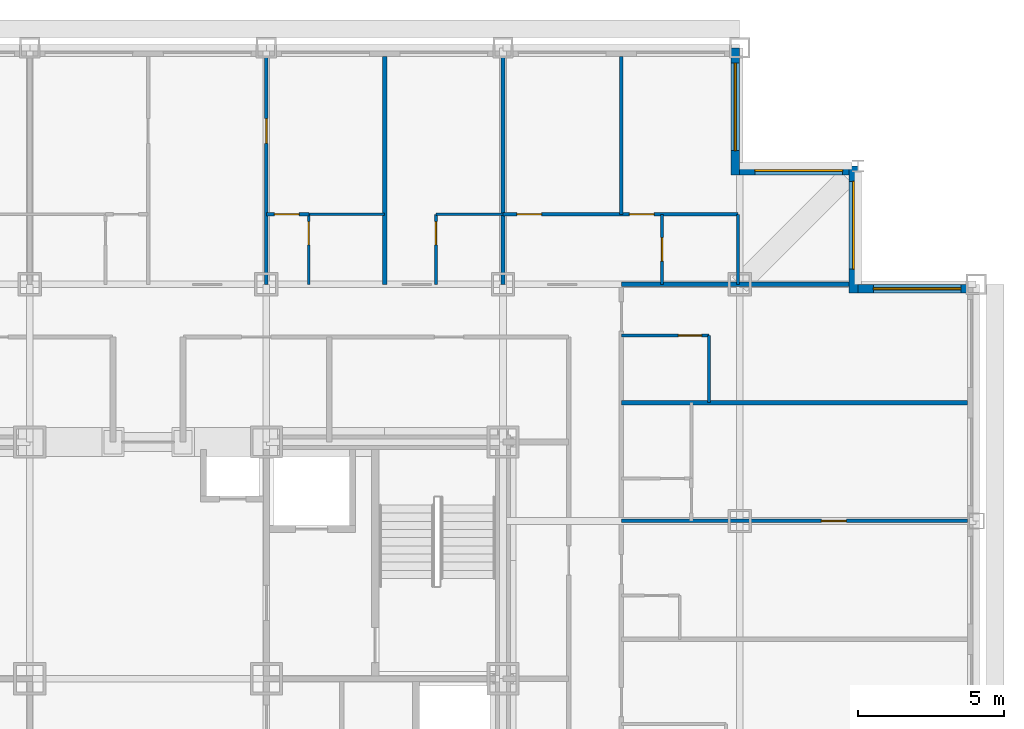
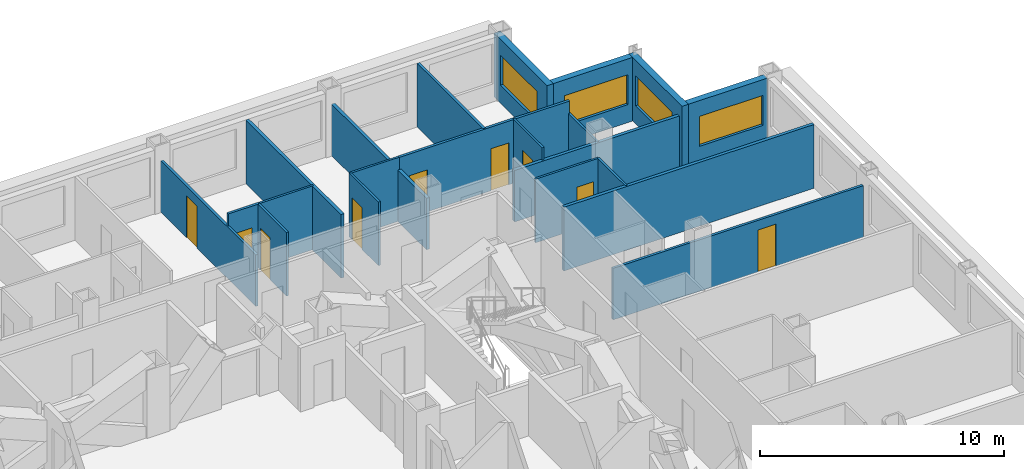
# One storey, part 12 of 15: 21 walls, 9 doors, 4 windows, 13 openings.
"""IFC4 building model written with IfcOpenShell, lengths in metres."""

from ifc_helpers import new_model, si_unit, direction, frame, frame_2d, origin, place, context, subcontext, project, spatial, rectangle, extrude, material, layer, layer_set, type_object, element, fill, save


model = new_model("IFC4")

# Units and contexts
model_context = context("Model", 3, precision=1e-05, world=origin(), true_north=direction((0.0, 1.0)))
body_context = subcontext(model_context, "Body", "Model", "MODEL_VIEW")
ifc_project = project(units=[si_unit("LENGTHUNIT", "METRE"), si_unit("AREAUNIT", "SQUARE_METRE"), si_unit("VOLUMEUNIT", "CUBIC_METRE"), si_unit("PLANEANGLEUNIT", "RADIAN"), si_unit("MASSUNIT", "GRAM", prefix="KILO")], contexts=[model_context])

# Site, building, storey
site_placement = place(None, origin())
site = spatial("IfcSite", under=ifc_project, at=site_placement, CompositionType="ELEMENT")
building_placement = place(site_placement, origin())
building = spatial("IfcBuilding", under=site, at=building_placement, Name="Kopane Lantern Tower", CompositionType="ELEMENT")
storey_placement = place(building_placement, frame((0.0, 0.0, 140.800048828125)))
storey = spatial("IfcBuildingStorey", under=building, at=storey_placement, Name="L36", CompositionType="ELEMENT", Elevation=140.800048828125)

# Wall, opening, door
ifc_material_1 = material(Name="Gypsum board on steel studs", Category="steel")
ifc_layer_1 = layer(ifc_material_1, 0.1201171875)
ifc_layer_set_1 = layer_set([ifc_layer_1], Name="APARTMENT INTERNAL WALL 120")
wall_type_1 = type_object("IfcWallType", Name="APARTMENT INTERNAL WALL 120", PredefinedType="PARTITIONING", material=ifc_layer_set_1)
wall_1_placement = place(storey_placement, frame((32.39990234375, 45.89990234375, 0.0), z_axis=(0.0, 0.0, 1.0), x_axis=(0.0, 1.0, 0.0)))
wall_1 = element("IfcWall", 1, at=wall_1_placement, inside=storey, type_object=wall_type_1, Name="Apartment Internal Wall 120 L36", PredefinedType="PARTITIONING", context=body_context, shape_type="SweptSolid", body=[
    extrude(rectangle(XDim=7.800048828125, YDim=0.1201171875, at=frame_2d((3.89990234375, 0.0))), origin(), (0.0, 0.0, 1.0), 2.57763671875),
])
opening_1_placement = place(wall_1_placement, frame((4.824951171875, 0.0, 0.0)))
opening_1 = element("IfcOpeningElement", 2, at=opening_1_placement, cuts=wall_1, Name="Opening L36-040", PredefinedType="OPENING", context=body_context, shape_type="SweptSolid", body=[
    extrude(rectangle(XDim=0.85009765625, YDim=2.10009765625, at=frame_2d((0.425048828125, 1.050048828125))), frame((0.0, 0.070068359375, 0.0), z_axis=(0.0, -1.0, 0.0), x_axis=(1.0, 0.0, 0.0)), (0.0, 0.0, 1.0), 0.14013671875),
])
ifc_material_2 = material(Name="Timber door set", Category="wood")
door_type_1 = type_object("IfcDoorType", Name="DOOR D4 850x2100", OperationType="SINGLE_SWING_LEFT", PredefinedType="DOOR", material=ifc_material_2)
door_1_placement = place(opening_1_placement, origin())
door_1 = element("IfcDoor", 3, at=door_1_placement, inside=storey, type_object=door_type_1, Name="Door L36-040", OperationType="SINGLE_SWING_RIGHT", OverallHeight=2.10009765625, OverallWidth=0.85009765625, PredefinedType="DOOR", context=body_context, shape_type="SweptSolid", body=[
    extrude(rectangle(XDim=0.85009765625, YDim=2.10009765625, at=frame_2d((0.425048828125, 1.050048828125))), frame((0.0, 0.02490234375, 0.0), z_axis=(0.0, -1.0, 0.0), x_axis=(1.0, 0.0, 0.0)), (0.0, 0.0, 1.0), 0.050048828125),
])
fill(opening_1, door_1)

wall_2_placement = place(storey_placement, frame((44.550048828125, 37.800048828125, 0.0), z_axis=(0.0, 0.0, 1.0), x_axis=(1.0, 0.0, 0.0)))
wall_2 = element("IfcWall", 4, at=wall_2_placement, inside=storey, type_object=wall_type_1, Name="Apartment Internal Wall 120 L36", PredefinedType="PARTITIONING", context=body_context, shape_type="SweptSolid", body=[
    extrude(rectangle(XDim=11.849853515625, YDim=0.1201171875, at=frame_2d((5.9248046875, 0.0))), origin(), (0.0, 0.0, 1.0), 2.57763671875),
])
opening_2_placement = place(wall_2_placement, frame((6.85009765625, 0.0, 0.0)))
opening_2 = element("IfcOpeningElement", 5, at=opening_2_placement, cuts=wall_2, Name="Opening L36-067", PredefinedType="OPENING", context=body_context, shape_type="SweptSolid", body=[
    extrude(rectangle(XDim=0.85009765625, YDim=2.10009765625, at=frame_2d((0.425048828125, 1.050048828125))), frame((0.0, 0.070068359375, 0.0), z_axis=(0.0, -1.0, 0.0), x_axis=(1.0, 0.0, 0.0)), (0.0, 0.0, 1.0), 0.14013671875),
])
door_2_placement = place(opening_2_placement, origin())
door_2 = element("IfcDoor", 6, at=door_2_placement, inside=storey, type_object=door_type_1, Name="Door L36-067", OperationType="SINGLE_SWING_LEFT", OverallHeight=2.10009765625, OverallWidth=0.85009765625, PredefinedType="DOOR", context=body_context, shape_type="SweptSolid", body=[
    extrude(rectangle(XDim=0.85009765625, YDim=2.10009765625, at=frame_2d((0.425048828125, 1.050048828125))), frame((0.0, 0.02490234375, 0.0), z_axis=(0.0, -1.0, 0.0), x_axis=(1.0, 0.0, 0.0)), (0.0, 0.0, 1.0), 0.050048828125),
])
fill(opening_2, door_2)

# Wall, openings, doors
wall_3_placement = place(storey_placement, frame((40.5, 48.300048828125, 0.0), z_axis=(0.0, 0.0, 1.0), x_axis=(1.0, 0.0, 0.0)))
wall_3 = element("IfcWall", 7, at=wall_3_placement, inside=storey, type_object=wall_type_1, Name="Apartment Internal Wall 120 L36", PredefinedType="PARTITIONING", context=body_context, shape_type="SweptSolid", body=[
    extrude(rectangle(XDim=8.050048828125, YDim=0.1201171875, at=frame_2d((4.02490234375, 0.0))), origin(), (0.0, 0.0, 1.0), 3.18994140625),
])
opening_3_placement = place(wall_3_placement, frame((0.47509765625, 0.0, 0.0)))
opening_3 = element("IfcOpeningElement", 8, at=opening_3_placement, cuts=wall_3, Name="Opening L36-081", PredefinedType="OPENING", context=body_context, shape_type="SweptSolid", body=[
    extrude(rectangle(XDim=0.85009765625, YDim=2.10009765625, at=frame_2d((0.425048828125, 1.050048828125))), frame((0.0, 0.070068359375, 0.0), z_axis=(0.0, -1.0, 0.0), x_axis=(1.0, 0.0, 0.0)), (0.0, 0.0, 1.0), 0.14013671875),
])
opening_4_placement = place(wall_3_placement, frame((4.324951171875, 0.0, 0.0)))
opening_4 = element("IfcOpeningElement", 9, at=opening_4_placement, cuts=wall_3, Name="Opening L36-083", PredefinedType="OPENING", context=body_context, shape_type="SweptSolid", body=[
    extrude(rectangle(XDim=0.85009765625, YDim=2.10009765625, at=frame_2d((0.425048828125, 1.050048828125))), frame((0.0, 0.070068359375, 0.0), z_axis=(0.0, -1.0, 0.0), x_axis=(1.0, 0.0, 0.0)), (0.0, 0.0, 1.0), 0.14013671875),
])
door_3_placement = place(opening_3_placement, origin())
door_3 = element("IfcDoor", 10, at=door_3_placement, inside=storey, type_object=door_type_1, Name="Door L36-081", OperationType="SINGLE_SWING_RIGHT", OverallHeight=2.10009765625, OverallWidth=0.85009765625, PredefinedType="DOOR", context=body_context, shape_type="SweptSolid", body=[
    extrude(rectangle(XDim=0.85009765625, YDim=2.10009765625, at=frame_2d((0.425048828125, 1.050048828125))), frame((0.0, 0.02490234375, 0.0), z_axis=(0.0, -1.0, 0.0), x_axis=(1.0, 0.0, 0.0)), (0.0, 0.0, 1.0), 0.050048828125),
])
fill(opening_3, door_3)
door_4_placement = place(opening_4_placement, origin())
door_4 = element("IfcDoor", 11, at=door_4_placement, inside=storey, type_object=door_type_1, Name="Door L36-083", OperationType="SINGLE_SWING_LEFT", OverallHeight=2.10009765625, OverallWidth=0.85009765625, PredefinedType="DOOR", context=body_context, shape_type="SweptSolid", body=[
    extrude(rectangle(XDim=0.85009765625, YDim=2.10009765625, at=frame_2d((0.425048828125, 1.050048828125))), frame((0.0, 0.02490234375, 0.0), z_axis=(0.0, -1.0, 0.0), x_axis=(1.0, 0.0, 0.0)), (0.0, 0.0, 1.0), 0.050048828125),
])
fill(opening_4, door_4)

# Wall
wall_4_placement = place(storey_placement, frame((44.550048828125, 48.300048828125, 0.0), z_axis=(0.0, 0.0, 1.0), x_axis=(0.0, 1.0, 0.0)))
element("IfcWall", 12, at=wall_4_placement, inside=storey, type_object=wall_type_1, Name="Apartment Internal Wall 120 L36", PredefinedType="PARTITIONING", context=body_context, shape_type="SweptSolid", body=[
    extrude(rectangle(XDim=5.39990234375, YDim=0.1201171875, at=frame_2d((2.699951171875, 0.0))), origin(), (0.0, 0.0, 1.0), 3.18994140625),
])

# Wall, opening, door
wall_5_placement = place(storey_placement, frame((32.39990234375, 48.300048828125, 0.0), z_axis=(0.0, 0.0, 1.0), x_axis=(1.0, 0.0, 0.0)))
wall_5 = element("IfcWall", 13, at=wall_5_placement, inside=storey, type_object=wall_type_1, Name="Apartment Internal Wall 120 L36", PredefinedType="PARTITIONING", context=body_context, shape_type="SweptSolid", body=[
    extrude(rectangle(XDim=1.460205078125, YDim=0.1201171875, at=frame_2d((0.72998046875, 0.0))), origin(), (0.0, 0.0, 1.0), 3.18994140625),
])
opening_5_placement = place(wall_5_placement, frame((0.27490234375, 0.0, 0.0)))
opening_5 = element("IfcOpeningElement", 14, at=opening_5_placement, cuts=wall_5, Name="Opening L36-093", PredefinedType="OPENING", context=body_context, shape_type="SweptSolid", body=[
    extrude(rectangle(XDim=0.85009765625, YDim=2.10009765625, at=frame_2d((0.425048828125, 1.050048828125))), frame((0.0, 0.070068359375, 0.0), z_axis=(0.0, -1.0, 0.0), x_axis=(1.0, 0.0, 0.0)), (0.0, 0.0, 1.0), 0.14013671875),
])
door_5_placement = place(opening_5_placement, origin())
door_5 = element("IfcDoor", 15, at=door_5_placement, inside=storey, type_object=door_type_1, Name="Door L36-093", OperationType="SINGLE_SWING_LEFT", OverallHeight=2.10009765625, OverallWidth=0.85009765625, PredefinedType="DOOR", context=body_context, shape_type="SweptSolid", body=[
    extrude(rectangle(XDim=0.85009765625, YDim=2.10009765625, at=frame_2d((0.425048828125, 1.050048828125))), frame((0.0, 0.02490234375, 0.0), z_axis=(0.0, -1.0, 0.0), x_axis=(1.0, 0.0, 0.0)), (0.0, 0.0, 1.0), 0.050048828125),
])
fill(opening_5, door_5)

# Wall
ifc_material_3 = material(Name="Moisture-resistant board on steel studs", Category="steel")
ifc_layer_2 = layer(ifc_material_3, 0.10009765625)
ifc_layer_set_2 = layer_set([ifc_layer_2], Name="BATHROOM WALL 100")
wall_type_2 = type_object("IfcWallType", Name="BATHROOM WALL 100", PredefinedType="PARTITIONING", material=ifc_layer_set_2)
wall_6_placement = place(storey_placement, frame((33.85009765625, 48.300048828125, 0.0), z_axis=(0.0, 0.0, 1.0), x_axis=(1.0, 0.0, 0.0)))
element("IfcWall", 16, at=wall_6_placement, inside=storey, type_object=wall_type_2, Name="Bathroom Wall 100 L36", PredefinedType="PARTITIONING", context=body_context, shape_type="SweptSolid", body=[
    extrude(rectangle(XDim=2.599853515625, YDim=0.10009765625, at=frame_2d((1.2998046875, 0.0))), origin(), (0.0, 0.0, 1.0), 3.18994140625),
])

# Wall, opening, door
wall_7_placement = place(storey_placement, frame((33.85009765625, 45.89990234375, 0.0), z_axis=(0.0, 0.0, 1.0), x_axis=(0.0, 1.0, 0.0)))
wall_7 = element("IfcWall", 17, at=wall_7_placement, inside=storey, type_object=wall_type_2, Name="Bathroom Wall 100 L36", PredefinedType="PARTITIONING", context=body_context, shape_type="SweptSolid", body=[
    extrude(rectangle(XDim=2.400146484375, YDim=0.10009765625, at=frame_2d((1.2001953125, 0.0))), origin(), (0.0, 0.0, 1.0), 3.18994140625),
])
opening_6_placement = place(wall_7_placement, frame((1.35009765625, 0.0, 0.0)))
opening_6 = element("IfcOpeningElement", 18, at=opening_6_placement, cuts=wall_7, Name="Opening L36-039", PredefinedType="OPENING", context=body_context, shape_type="SweptSolid", body=[
    extrude(rectangle(XDim=0.800048828125, YDim=2.10009765625, at=frame_2d((0.39990234375, 1.050048828125))), frame((0.0, 0.06005859375, 0.0), z_axis=(0.0, -1.0, 0.0), x_axis=(1.0, 0.0, 0.0)), (0.0, 0.0, 1.0), 0.1201171875),
])
ifc_material_4 = material(Name="Timber door set", Category="wood")
door_type_2 = type_object("IfcDoorType", Name="DOOR D2 800x2100", OperationType="SINGLE_SWING_LEFT", PredefinedType="DOOR", material=ifc_material_4)
door_6_placement = place(opening_6_placement, origin())
door_6 = element("IfcDoor", 19, at=door_6_placement, inside=storey, type_object=door_type_2, Name="Door L36-039", OperationType="SINGLE_SWING_RIGHT", OverallHeight=2.10009765625, OverallWidth=0.800048828125, PredefinedType="DOOR", context=body_context, shape_type="SweptSolid", body=[
    extrude(rectangle(XDim=0.800048828125, YDim=2.10009765625, at=frame_2d((0.39990234375, 1.050048828125))), frame((0.0, 0.02490234375, 0.0), z_axis=(0.0, -1.0, 0.0), x_axis=(1.0, 0.0, 0.0)), (0.0, 0.0, 1.0), 0.050048828125),
])
fill(opening_6, door_6)

# Wall
wall_8_placement = place(storey_placement, frame((38.199951171875, 48.300048828125, 0.0), z_axis=(0.0, 0.0, 1.0), x_axis=(1.0, 0.0, 0.0)))
element("IfcWall", 20, at=wall_8_placement, inside=storey, type_object=wall_type_2, Name="Bathroom Wall 100 L36", PredefinedType="PARTITIONING", context=body_context, shape_type="SweptSolid", body=[
    extrude(rectangle(XDim=2.300048828125, YDim=0.10009765625, at=frame_2d((1.14990234375, 0.0))), origin(), (0.0, 0.0, 1.0), 3.18994140625),
])

# Wall, opening, door
wall_9_placement = place(storey_placement, frame((38.199951171875, 45.89990234375, 0.0), z_axis=(0.0, 0.0, 1.0), x_axis=(0.0, 1.0, 0.0)))
wall_9 = element("IfcWall", 21, at=wall_9_placement, inside=storey, type_object=wall_type_2, Name="Bathroom Wall 100 L36", PredefinedType="PARTITIONING", context=body_context, shape_type="SweptSolid", body=[
    extrude(rectangle(XDim=2.400146484375, YDim=0.10009765625, at=frame_2d((1.2001953125, 0.0))), origin(), (0.0, 0.0, 1.0), 3.18994140625),
])
opening_7_placement = place(wall_9_placement, frame((1.35009765625, 0.0, 0.0)))
opening_7 = element("IfcOpeningElement", 22, at=opening_7_placement, cuts=wall_9, Name="Opening L36-041", PredefinedType="OPENING", context=body_context, shape_type="SweptSolid", body=[
    extrude(rectangle(XDim=0.800048828125, YDim=2.10009765625, at=frame_2d((0.39990234375, 1.050048828125))), frame((0.0, 0.06005859375, 0.0), z_axis=(0.0, -1.0, 0.0), x_axis=(1.0, 0.0, 0.0)), (0.0, 0.0, 1.0), 0.1201171875),
])
door_7_placement = place(opening_7_placement, origin())
door_7 = element("IfcDoor", 23, at=door_7_placement, inside=storey, type_object=door_type_2, Name="Door L36-041", OperationType="SINGLE_SWING_LEFT", OverallHeight=2.10009765625, OverallWidth=0.800048828125, PredefinedType="DOOR", context=body_context, shape_type="SweptSolid", body=[
    extrude(rectangle(XDim=0.800048828125, YDim=2.10009765625, at=frame_2d((0.39990234375, 1.050048828125))), frame((0.0, 0.02490234375, 0.0), z_axis=(0.0, -1.0, 0.0), x_axis=(1.0, 0.0, 0.0)), (0.0, 0.0, 1.0), 0.050048828125),
])
fill(opening_7, door_7)

# Wall
wall_10_placement = place(storey_placement, frame((47.550048828125, 41.85009765625, 0.0), z_axis=(0.0, 0.0, 1.0), x_axis=(0.0, 1.0, 0.0)))
element("IfcWall", 24, at=wall_10_placement, inside=storey, type_object=wall_type_2, Name="Bathroom Wall 100 L36", PredefinedType="PARTITIONING", context=body_context, shape_type="SweptSolid", body=[
    extrude(rectangle(XDim=2.2998046875, YDim=0.10009765625, at=frame_2d((1.14990234375, 0.0))), origin(), (0.0, 0.0, 1.0), 3.18994140625),
])

# Wall, opening, door
wall_11_placement = place(storey_placement, frame((44.550048828125, 44.14990234375, 0.0), z_axis=(0.0, 0.0, 1.0), x_axis=(1.0, 0.0, 0.0)))
wall_11 = element("IfcWall", 25, at=wall_11_placement, inside=storey, type_object=wall_type_2, Name="Bathroom Wall 100 L36", PredefinedType="PARTITIONING", context=body_context, shape_type="SweptSolid", body=[
    extrude(rectangle(XDim=3.0, YDim=0.10009765625, at=frame_2d((1.5, 0.0))), origin(), (0.0, 0.0, 1.0), 3.18994140625),
])
opening_8_placement = place(wall_11_placement, frame((1.949951171875, 0.0, 0.0)))
opening_8 = element("IfcOpeningElement", 26, at=opening_8_placement, cuts=wall_11, Name="Opening L36-068", PredefinedType="OPENING", context=body_context, shape_type="SweptSolid", body=[
    extrude(rectangle(XDim=0.800048828125, YDim=2.10009765625, at=frame_2d((0.39990234375, 1.050048828125))), frame((0.0, 0.06005859375, 0.0), z_axis=(0.0, -1.0, 0.0), x_axis=(1.0, 0.0, 0.0)), (0.0, 0.0, 1.0), 0.1201171875),
])
door_8_placement = place(opening_8_placement, origin())
door_8 = element("IfcDoor", 27, at=door_8_placement, inside=storey, type_object=door_type_2, Name="Door L36-068", OperationType="SINGLE_SWING_LEFT", OverallHeight=2.10009765625, OverallWidth=0.800048828125, PredefinedType="DOOR", context=body_context, shape_type="SweptSolid", body=[
    extrude(rectangle(XDim=0.800048828125, YDim=2.10009765625, at=frame_2d((0.39990234375, 1.050048828125))), frame((0.0, 0.02490234375, 0.0), z_axis=(0.0, -1.0, 0.0), x_axis=(1.0, 0.0, 0.0)), (0.0, 0.0, 1.0), 0.050048828125),
])
fill(opening_8, door_8)

wall_12_placement = place(storey_placement, frame((45.949951171875, 45.89990234375, 0.0), z_axis=(0.0, 0.0, 1.0), x_axis=(0.0, 1.0, 0.0)))
wall_12 = element("IfcWall", 28, at=wall_12_placement, inside=storey, type_object=wall_type_2, Name="Bathroom Wall 100 L36", PredefinedType="PARTITIONING", context=body_context, shape_type="SweptSolid", body=[
    extrude(rectangle(XDim=2.400146484375, YDim=0.10009765625, at=frame_2d((1.2001953125, 0.0))), origin(), (0.0, 0.0, 1.0), 3.18994140625),
])
opening_9_placement = place(wall_12_placement, frame((0.800048828125, 0.0, 0.0)))
opening_9 = element("IfcOpeningElement", 29, at=opening_9_placement, cuts=wall_12, Name="Opening L36-082", PredefinedType="OPENING", context=body_context, shape_type="SweptSolid", body=[
    extrude(rectangle(XDim=0.800048828125, YDim=2.10009765625, at=frame_2d((0.39990234375, 1.050048828125))), frame((0.0, 0.06005859375, 0.0), z_axis=(0.0, -1.0, 0.0), x_axis=(1.0, 0.0, 0.0)), (0.0, 0.0, 1.0), 0.1201171875),
])
door_9_placement = place(opening_9_placement, origin())
door_9 = element("IfcDoor", 30, at=door_9_placement, inside=storey, type_object=door_type_2, Name="Door L36-082", OperationType="SINGLE_SWING_RIGHT", OverallHeight=2.10009765625, OverallWidth=0.800048828125, PredefinedType="DOOR", context=body_context, shape_type="SweptSolid", body=[
    extrude(rectangle(XDim=0.800048828125, YDim=2.10009765625, at=frame_2d((0.39990234375, 1.050048828125))), frame((0.0, 0.02490234375, 0.0), z_axis=(0.0, -1.0, 0.0), x_axis=(1.0, 0.0, 0.0)), (0.0, 0.0, 1.0), 0.050048828125),
])
fill(opening_9, door_9)

# Walls
wall_13_placement = place(storey_placement, frame((48.550048828125, 45.89990234375, 0.0), z_axis=(0.0, 0.0, 1.0), x_axis=(0.0, 1.0, 0.0)))
element("IfcWall", 31, at=wall_13_placement, inside=storey, type_object=wall_type_2, Name="Bathroom Wall 100 L36", PredefinedType="PARTITIONING", context=body_context, shape_type="SweptSolid", body=[
    extrude(rectangle(XDim=2.400146484375, YDim=0.10009765625, at=frame_2d((1.2001953125, 0.0))), origin(), (0.0, 0.0, 1.0), 2.57763671875),
])
ifc_material_5 = material(Name="Gypsum board on steel studs", Category="steel")
ifc_layer_3 = layer(ifc_material_5, 0.14990234375)
ifc_layer_set_3 = layer_set([ifc_layer_3], Name="DEMISING WALL 150 EI 60")
wall_type_3 = type_object("IfcWallType", Name="DEMISING WALL 150 EI 60", PredefinedType="PARTITIONING", material=ifc_layer_set_3)
wall_14_placement = place(storey_placement, frame((36.449951171875, 45.89990234375, 0.0), z_axis=(0.0, 0.0, 1.0), x_axis=(0.0, 1.0, 0.0)))
element("IfcWall", 32, at=wall_14_placement, inside=storey, type_object=wall_type_3, Name="Demising Wall 150 Ei 60 L36", PredefinedType="PARTITIONING", context=body_context, shape_type="SweptSolid", body=[
    extrude(rectangle(XDim=7.800048828125, YDim=0.14990234375, at=frame_2d((3.89990234375, 0.0))), origin(), (0.0, 0.0, 1.0), 3.18994140625),
])
wall_15_placement = place(storey_placement, frame((44.550048828125, 41.85009765625, 0.0), z_axis=(0.0, 0.0, 1.0), x_axis=(1.0, 0.0, 0.0)))
element("IfcWall", 33, at=wall_15_placement, inside=storey, type_object=wall_type_3, Name="Demising Wall 150 Ei 60 L36", PredefinedType="PARTITIONING", context=body_context, shape_type="SweptSolid", body=[
    extrude(rectangle(XDim=11.849853515625, YDim=0.14990234375, at=frame_2d((5.9248046875, 0.0))), origin(), (0.0, 0.0, 1.0), 3.18994140625),
])
for number, where, z_axis, x_axis, name in (
    (34, (44.550048828125, 45.89990234375, 0.0), (0.0, 0.0, 1.0), (1.0, 0.0, 0.0), "Demising Wall 150 Ei 60 L36"),
    (35, (40.5, 45.89990234375, 0.0), (0.0, 0.0, 1.0), (0.0, 1.0, 0.0), "Demising Wall 150 Ei 60 L36"),
):
    element("IfcWall", number, at=place(storey_placement, frame(where, z_axis=z_axis, x_axis=x_axis)), inside=storey, type_object=wall_type_3, Name=name, PredefinedType="PARTITIONING", context=body_context, shape_type="SweptSolid", body=[
        extrude(rectangle(XDim=7.800048828125, YDim=0.14990234375, at=frame_2d((3.89990234375, 0.0))), origin(), (0.0, 0.0, 1.0), 2.57763671875),
    ])

# Wall, opening, window
ifc_material_6 = material(Name="Terracotta rainscreen on light steel framing", Category="masonry")
ifc_layer_4 = layer(ifc_material_6, 0.300048828125)
ifc_layer_set_4 = layer_set([ifc_layer_4], Name="EXTERNAL WALL EW1 300 TERRACOTTA")
wall_type_4 = type_object("IfcWallType", Name="EXTERNAL WALL EW1 300 TERRACOTTA", PredefinedType="SOLIDWALL", material=ifc_layer_set_4)
wall_16_placement = place(storey_placement, frame((56.39990234375, 45.75, 0.0), z_axis=(0.0, 0.0, 1.0), x_axis=(-1.0, 0.0, 0.0)))
wall_16 = element("IfcWall", 36, at=wall_16_placement, inside=storey, type_object=wall_type_4, Name="External wall N L36", PredefinedType="SOLIDWALL", context=body_context, shape_type="SweptSolid", body=[
    extrude(rectangle(XDim=3.75, YDim=0.300048828125, at=frame_2d((1.875, 0.0))), origin(), (0.0, 0.0, 1.0), 3.18994140625),
])
opening_10_placement = place(wall_16_placement, frame((0.22509765625, 0.0, 0.89990234375)))
opening_10 = element("IfcOpeningElement", 37, at=opening_10_placement, cuts=wall_16, Name="Opening WR300150", PredefinedType="OPENING", context=body_context, shape_type="SweptSolid", body=[
    extrude(rectangle(XDim=3.0, YDim=1.5, at=frame_2d((1.5, 0.75))), frame((0.0, 0.159912109375, 0.0), z_axis=(0.0, -1.0, 0.0), x_axis=(1.0, 0.0, 0.0)), (0.0, 0.0, 1.0), 0.320068359375),
])
ifc_material_7 = material(Name="Aluminium and clear glass", Category="aluminium")
window_type = type_object("IfcWindowType", Name="RIBBON WINDOW WR300150 3000x1500", PartitioningType="SINGLE_PANEL", PredefinedType="WINDOW", material=ifc_material_7)
window_1_placement = place(opening_10_placement, origin())
window_1 = element("IfcWindow", 38, at=window_1_placement, inside=storey, type_object=window_type, Name="Window N L36", OverallHeight=1.5, OverallWidth=3.0, PartitioningType="SINGLE_PANEL", PredefinedType="WINDOW", context=body_context, shape_type="SweptSolid", body=[
    extrude(rectangle(XDim=3.0, YDim=1.5, at=frame_2d((1.5, 0.75))), frame((0.0, 0.030029296875, 0.0), z_axis=(0.0, -1.0, 0.0), x_axis=(1.0, 0.0, 0.0)), (0.0, 0.0, 1.0), 0.06005859375),
])
fill(opening_10, window_1)

wall_17_placement = place(storey_placement, frame((52.5, 45.60009765625, 0.0), z_axis=(0.0, 0.0, 1.0), x_axis=(0.0, 1.0, 0.0)))
wall_17 = element("IfcWall", 39, at=wall_17_placement, inside=storey, type_object=wall_type_4, Name="External wall E L36", PredefinedType="SOLIDWALL", context=body_context, shape_type="SweptSolid", body=[
    extrude(rectangle(XDim=4.349853515625, YDim=0.300048828125, at=frame_2d((2.1748046875, 0.0))), origin(), (0.0, 0.0, 1.0), 3.18994140625),
])
opening_11_placement = place(wall_17_placement, frame((0.824951171875, 0.0, 0.89990234375)))
opening_11 = element("IfcOpeningElement", 40, at=opening_11_placement, cuts=wall_17, Name="Opening WR300150", PredefinedType="OPENING", context=body_context, shape_type="SweptSolid", body=[
    extrude(rectangle(XDim=3.0, YDim=1.5, at=frame_2d((1.5, 0.75))), frame((0.0, 0.159912109375, 0.0), z_axis=(0.0, -1.0, 0.0), x_axis=(1.0, 0.0, 0.0)), (0.0, 0.0, 1.0), 0.320068359375),
])
window_2_placement = place(opening_11_placement, origin())
window_2 = element("IfcWindow", 41, at=window_2_placement, inside=storey, type_object=window_type, Name="Window E L36", OverallHeight=1.5, OverallWidth=3.0, PartitioningType="SINGLE_PANEL", PredefinedType="WINDOW", context=body_context, shape_type="SweptSolid", body=[
    extrude(rectangle(XDim=3.0, YDim=1.5, at=frame_2d((1.5, 0.75))), frame((0.0, 0.030029296875, 0.0), z_axis=(0.0, -1.0, 0.0), x_axis=(1.0, 0.0, 0.0)), (0.0, 0.0, 1.0), 0.06005859375),
])
fill(opening_11, window_2)

wall_18_placement = place(storey_placement, frame((52.35009765625, 49.800048828125, 0.0), z_axis=(0.0, 0.0, 1.0), x_axis=(-1.0, 0.0, 0.0)))
wall_18 = element("IfcWall", 42, at=wall_18_placement, inside=storey, type_object=wall_type_4, Name="External wall N L36", PredefinedType="SOLIDWALL", context=body_context, shape_type="SweptSolid", body=[
    extrude(rectangle(XDim=3.75, YDim=0.300048828125, at=frame_2d((1.875, 0.0))), origin(), (0.0, 0.0, 1.0), 3.18994140625),
])
opening_12_placement = place(wall_18_placement, frame((0.22509765625, 0.0, 0.89990234375)))
opening_12 = element("IfcOpeningElement", 43, at=opening_12_placement, cuts=wall_18, Name="Opening WR300150", PredefinedType="OPENING", context=body_context, shape_type="SweptSolid", body=[
    extrude(rectangle(XDim=3.0, YDim=1.5, at=frame_2d((1.5, 0.75))), frame((0.0, 0.159912109375, 0.0), z_axis=(0.0, -1.0, 0.0), x_axis=(1.0, 0.0, 0.0)), (0.0, 0.0, 1.0), 0.320068359375),
])
window_3_placement = place(opening_12_placement, origin())
window_3 = element("IfcWindow", 44, at=window_3_placement, inside=storey, type_object=window_type, Name="Window N L36", OverallHeight=1.5, OverallWidth=3.0, PartitioningType="SINGLE_PANEL", PredefinedType="WINDOW", context=body_context, shape_type="SweptSolid", body=[
    extrude(rectangle(XDim=3.0, YDim=1.5, at=frame_2d((1.5, 0.75))), frame((0.0, 0.030029296875, 0.0), z_axis=(0.0, -1.0, 0.0), x_axis=(1.0, 0.0, 0.0)), (0.0, 0.0, 1.0), 0.06005859375),
])
fill(opening_12, window_3)

wall_19_placement = place(storey_placement, frame((48.449951171875, 49.64990234375, 0.0), z_axis=(0.0, 0.0, 1.0), x_axis=(0.0, 1.0, 0.0)))
wall_19 = element("IfcWall", 45, at=wall_19_placement, inside=storey, type_object=wall_type_4, Name="External wall E L36", PredefinedType="SOLIDWALL", context=body_context, shape_type="SweptSolid", body=[
    extrude(rectangle(XDim=4.35009765625, YDim=0.300048828125, at=frame_2d((2.175048828125, 0.0))), origin(), (0.0, 0.0, 1.0), 3.18994140625),
])
opening_13_placement = place(wall_19_placement, frame((0.824951171875, 0.0, 0.89990234375)))
opening_13 = element("IfcOpeningElement", 46, at=opening_13_placement, cuts=wall_19, Name="Opening WR300150", PredefinedType="OPENING", context=body_context, shape_type="SweptSolid", body=[
    extrude(rectangle(XDim=3.0, YDim=1.5, at=frame_2d((1.5, 0.75))), frame((0.0, 0.159912109375, 0.0), z_axis=(0.0, -1.0, 0.0), x_axis=(1.0, 0.0, 0.0)), (0.0, 0.0, 1.0), 0.320068359375),
])
window_4_placement = place(opening_13_placement, origin())
window_4 = element("IfcWindow", 47, at=window_4_placement, inside=storey, type_object=window_type, Name="Window E L36", OverallHeight=1.5, OverallWidth=3.0, PartitioningType="SINGLE_PANEL", PredefinedType="WINDOW", context=body_context, shape_type="SweptSolid", body=[
    extrude(rectangle(XDim=3.0, YDim=1.5, at=frame_2d((1.5, 0.75))), frame((0.0, 0.030029296875, 0.0), z_axis=(0.0, -1.0, 0.0), x_axis=(1.0, 0.0, 0.0)), (0.0, 0.0, 1.0), 0.06005859375),
])
fill(opening_13, window_4)

save(model, "model.ifc")
